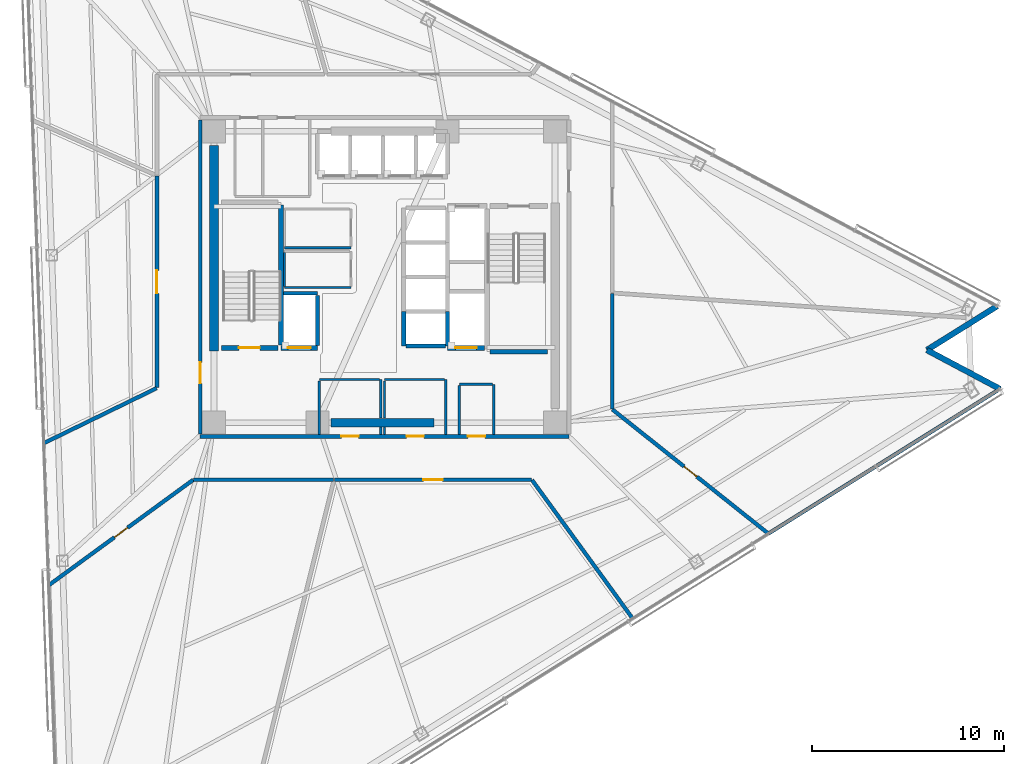
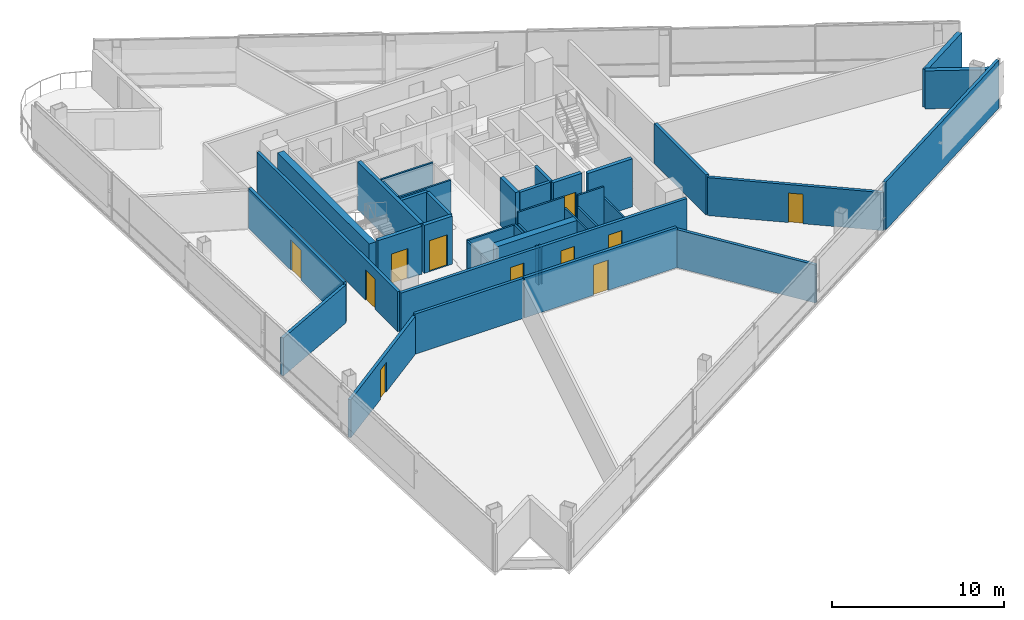
# One storey, part 12 of 21: 39 walls, 11 doors, 11 openings.
"""IFC4 building model written with IfcOpenShell, lengths in metres."""

from ifc_helpers import new_model, si_unit, direction, frame, frame_2d, origin, place, context, subcontext, project, spatial, rectangle, extrude, material, layer, layer_set, type_object, element, fill, save


model = new_model("IFC4")

# Units and contexts
model_context = context("Model", 3, precision=1e-05, world=origin(), true_north=direction((0.0, 1.0)))
body_context = subcontext(model_context, "Body", "Model", "MODEL_VIEW")
ifc_project = project(units=[si_unit("LENGTHUNIT", "METRE"), si_unit("AREAUNIT", "SQUARE_METRE"), si_unit("VOLUMEUNIT", "CUBIC_METRE"), si_unit("PLANEANGLEUNIT", "RADIAN"), si_unit("MASSUNIT", "GRAM", prefix="KILO")], contexts=[model_context])

# Site, building, storey
site_placement = place(None, origin())
site = spatial("IfcSite", under=ifc_project, at=site_placement, CompositionType="ELEMENT")
building_placement = place(site_placement, origin())
building = spatial("IfcBuilding", under=site, at=building_placement, Name="Tharavind Bronze Gate", CompositionType="ELEMENT")
storey_placement = place(building_placement, frame((0.0, 0.0, 156.800048828125)))
storey = spatial("IfcBuildingStorey", under=building, at=storey_placement, Name="L40", CompositionType="ELEMENT", Elevation=156.800048828125)

# Walls
ifc_material_1 = material(Name="Concrete C40/50", Category="concrete")
ifc_layer_1 = layer(ifc_material_1, 0.300048828125)
ifc_layer_set_1 = layer_set([ifc_layer_1], Name="Concrete C40/50")
wall_type_1 = type_object("IfcWallType", Name="EXTERIOR SPANDREL WALL 300", PredefinedType="STANDARD", material=ifc_layer_set_1)
wall_1_placement = place(storey_placement, frame((32.114501953125, -5.83984375, 0.0), z_axis=(0.0, 0.0, 1.0), x_axis=(-0.882945167019, 0.469476125099, 0.0)))
element("IfcWall", 1, at=wall_1_placement, inside=storey, type_object=wall_type_1, Name="L40 notch cheek wall 3A", PredefinedType="STANDARD", context=body_context, shape_type="SweptSolid", body=[
    extrude(rectangle(XDim=4.31982421875, YDim=0.300048828125, at=frame_2d((2.159912109375, 0.0))), origin(), (0.0, 0.0, 1.0), 2.704833984375),
])
wall_2_placement = place(storey_placement, frame((28.30029296875, -3.811767578125, 0.0), z_axis=(0.0, 0.0, 1.0), x_axis=(0.848042749904, 0.529927819929, 0.0)))
element("IfcWall", 2, at=wall_2_placement, inside=storey, type_object=wall_type_1, Name="L40 notch cheek wall 3B", PredefinedType="STANDARD", context=body_context, shape_type="SweptSolid", body=[
    extrude(rectangle(XDim=4.320068359375, YDim=0.300048828125, at=frame_2d((2.16015625, 0.0))), origin(), (0.0, 0.0, 1.0), 2.704833984375),
])

# Wall, openings, doors
ifc_material_2 = material(Name="Aerated Concrete Block", Category="concrete")
ifc_layer_2 = layer(ifc_material_2, 0.199951171875)
ifc_layer_set_2 = layer_set([ifc_layer_2], Name="Aerated Concrete Block")
wall_type_2 = type_object("IfcWallType", Name="FIRE RATED PARTITION 200", PredefinedType="PARTITIONING", material=ifc_layer_set_2)
wall_3_placement = place(storey_placement, frame((-9.6201171875, -8.320068359375, 0.0), z_axis=(0.0, 0.0, 1.0), x_axis=(1.0, 0.0, 0.0)))
wall_3 = element("IfcWall", 3, at=wall_3_placement, inside=storey, type_object=wall_type_2, Name="L40 south core corridor wall", PredefinedType="PARTITIONING", context=body_context, shape_type="SweptSolid", body=[
    extrude(rectangle(XDim=19.240234375, YDim=0.199951171875, at=frame_2d((9.6201171875, 0.0))), origin(), (0.0, 0.0, 1.0), 2.85498046875),
])
opening_1_placement = place(wall_3_placement, frame((7.3701171875, 0.0, 0.0)))
opening_1 = element("IfcOpeningElement", 4, at=opening_1_placement, cuts=wall_3, Name="Opening ID07", PredefinedType="OPENING", context=body_context, shape_type="SweptSolid", body=[
    extrude(rectangle(XDim=0.89990234375, YDim=2.10009765625, at=frame_2d((0.449951171875, 1.050048828125))), frame((0.0, 0.11009765625, 0.0), z_axis=(0.0, -1.0, 0.0), x_axis=(1.0, 0.0, 0.0)), (0.0, 0.0, 1.0), 0.219951171875),
])
opening_2_placement = place(wall_3_placement, frame((10.77001953125, 0.0, 0.0)))
opening_2 = element("IfcOpeningElement", 5, at=opening_2_placement, cuts=wall_3, Name="Opening ID07", PredefinedType="OPENING", context=body_context, shape_type="SweptSolid", body=[
    extrude(rectangle(XDim=0.89990234375, YDim=2.10009765625, at=frame_2d((0.449951171875, 1.050048828125))), frame((0.0, 0.11009765625, 0.0), z_axis=(0.0, -1.0, 0.0), x_axis=(1.0, 0.0, 0.0)), (0.0, 0.0, 1.0), 0.219951171875),
])
opening_3_placement = place(wall_3_placement, frame((13.969970703125, 0.0, 0.0)))
opening_3 = element("IfcOpeningElement", 6, at=opening_3_placement, cuts=wall_3, Name="Opening ID07", PredefinedType="OPENING", context=body_context, shape_type="SweptSolid", body=[
    extrude(rectangle(XDim=0.89990234375, YDim=2.10009765625, at=frame_2d((0.449951171875, 1.050048828125))), frame((0.0, 0.11009765625, 0.0), z_axis=(0.0, -1.0, 0.0), x_axis=(1.0, 0.0, 0.0)), (0.0, 0.0, 1.0), 0.219951171875),
])
ifc_material_3 = material(Name="Galvanised Fire Steel", Category="steel")
door_type_1 = type_object("IfcDoorType", Name="PLANT AND RISER FIRE DOOR 900X2100", OperationType="SINGLE_SWING_LEFT", PredefinedType="DOOR", material=ifc_material_3)
door_1_placement = place(opening_1_placement, frame((0.89990234375, 0.0, 0.0), z_axis=(0.0, 0.0, 1.0), x_axis=(-1.0, 0.0, 0.0)))
door_1 = element("IfcDoor", 7, at=door_1_placement, inside=storey, type_object=door_type_1, Name="L40 Core Archive Store fire door", OperationType="SINGLE_SWING_LEFT", OverallHeight=2.10009765625, OverallWidth=0.89990234375, PredefinedType="DOOR", context=body_context, shape_type="SweptSolid", body=[
    extrude(rectangle(XDim=0.89990234375, YDim=2.10009765625, at=frame_2d((0.449951171875, 1.050048828125))), frame((0.0, 0.02490234375, 0.0), z_axis=(0.0, -1.0, 0.0), x_axis=(1.0, 0.0, 0.0)), (0.0, 0.0, 1.0), 0.050048828125),
])
fill(opening_1, door_1)
door_2_placement = place(opening_2_placement, frame((0.89990234375, 0.0, 0.0), z_axis=(0.0, 0.0, 1.0), x_axis=(-1.0, 0.0, 0.0)))
door_2 = element("IfcDoor", 8, at=door_2_placement, inside=storey, type_object=door_type_1, Name="L40 Core Server Room fire door", OperationType="SINGLE_SWING_LEFT", OverallHeight=2.10009765625, OverallWidth=0.89990234375, PredefinedType="DOOR", context=body_context, shape_type="SweptSolid", body=[
    extrude(rectangle(XDim=0.89990234375, YDim=2.10009765625, at=frame_2d((0.449951171875, 1.050048828125))), frame((0.0, 0.02490234375, 0.0), z_axis=(0.0, -1.0, 0.0), x_axis=(1.0, 0.0, 0.0)), (0.0, 0.0, 1.0), 0.050048828125),
])
fill(opening_2, door_2)
door_3_placement = place(opening_3_placement, frame((0.89990234375, 0.0, 0.0), z_axis=(0.0, 0.0, 1.0), x_axis=(-1.0, 0.0, 0.0)))
door_3 = element("IfcDoor", 9, at=door_3_placement, inside=storey, type_object=door_type_1, Name="L40 Janitor Store Cupboard fire door", OperationType="SINGLE_SWING_LEFT", OverallHeight=2.10009765625, OverallWidth=0.89990234375, PredefinedType="DOOR", context=body_context, shape_type="SweptSolid", body=[
    extrude(rectangle(XDim=0.89990234375, YDim=2.10009765625, at=frame_2d((0.449951171875, 1.050048828125))), frame((0.0, 0.02490234375, 0.0), z_axis=(0.0, -1.0, 0.0), x_axis=(1.0, 0.0, 0.0)), (0.0, 0.0, 1.0), 0.050048828125),
])
fill(opening_3, door_3)

# Wall, opening, door
wall_4_placement = place(storey_placement, frame((-9.6201171875, 8.199951171875, 0.0), z_axis=(0.0, 0.0, 1.0), x_axis=(0.0, -1.0, 0.0)))
wall_4 = element("IfcWall", 10, at=wall_4_placement, inside=storey, type_object=wall_type_2, Name="L40 west core corridor wall", PredefinedType="PARTITIONING", context=body_context, shape_type="SweptSolid", body=[
    extrude(rectangle(XDim=16.39990234375, YDim=0.199951171875, at=frame_2d((8.199951171875, 0.0))), origin(), (0.0, 0.0, 1.0), 2.85498046875),
])
opening_4_placement = place(wall_4_placement, frame((12.64990234375, 0.0, 0.0)))
opening_4 = element("IfcOpeningElement", 11, at=opening_4_placement, cuts=wall_4, Name="Opening ID01", PredefinedType="OPENING", context=body_context, shape_type="SweptSolid", body=[
    extrude(rectangle(XDim=1.10009765625, YDim=2.14990234375, at=frame_2d((0.550048828125, 1.074951171875))), frame((0.0, 0.11009765625, 0.0), z_axis=(0.0, -1.0, 0.0), x_axis=(1.0, 0.0, 0.0)), (0.0, 0.0, 1.0), 0.219951171875),
])
ifc_material_4 = material(Name="Fire-Rated Steel", Category="steel")
door_type_2 = type_object("IfcDoorType", Name="STAIR CORE FIRE DOOR 1100X2150", OperationType="SINGLE_SWING_LEFT", PredefinedType="DOOR", material=ifc_material_4)
door_4_placement = place(opening_4_placement, frame((1.10009765625, 0.0, 0.0), z_axis=(0.0, 0.0, 1.0), x_axis=(-1.0, 0.0, 0.0)))
door_4 = element("IfcDoor", 12, at=door_4_placement, inside=storey, type_object=door_type_2, Name="L40 south west stair lobby fire door", OperationType="SINGLE_SWING_LEFT", OverallHeight=2.14990234375, OverallWidth=1.10009765625, PredefinedType="DOOR", context=body_context, shape_type="SweptSolid", body=[
    extrude(rectangle(XDim=1.10009765625, YDim=2.14990234375, at=frame_2d((0.550048828125, 1.074951171875))), frame((0.0, 0.02490234375, 0.0), z_axis=(0.0, -1.0, 0.0), x_axis=(1.0, 0.0, 0.0)), (0.0, 0.0, 1.0), 0.050048828125),
])
fill(opening_4, door_4)

wall_5_placement = place(storey_placement, frame((-17.51708984375, -16.080322265625, 0.0), z_axis=(0.0, 0.0, 1.0), x_axis=(0.807836100195, 0.58940718966, 0.0)))
wall_5 = element("IfcWall", 13, at=wall_5_placement, inside=storey, type_object=wall_type_2, Name="L40 Public Restrooms Block partition", PredefinedType="PARTITIONING", context=body_context, shape_type="SweptSolid", body=[
    extrude(rectangle(XDim=9.323974609375, YDim=0.199951171875, at=frame_2d((4.662109375, 0.0))), origin(), (0.0, 0.0, 1.0), 2.704833984375),
])
opening_5_placement = place(wall_5_placement, frame((4.237060546875, 0.0, 0.0)))
opening_5 = element("IfcOpeningElement", 14, at=opening_5_placement, cuts=wall_5, Name="Opening ID06", PredefinedType="OPENING", context=body_context, shape_type="SweptSolid", body=[
    extrude(rectangle(XDim=0.85009765625, YDim=2.10009765625, at=frame_2d((0.425048828125, 1.050048828125))), frame((0.0, 0.11009765625, 0.0), z_axis=(0.0, -1.0, 0.0), x_axis=(1.0, 0.0, 0.0)), (0.0, 0.0, 1.0), 0.219951171875),
])
ifc_material_5 = material(Name="Moisture-Resistant Timber", Category="wood")
door_type_3 = type_object("IfcDoorType", Name="BATHROOM PRIVACY DOOR 850X2100", OperationType="SINGLE_SWING_RIGHT", PredefinedType="DOOR", material=ifc_material_5)
door_5_placement = place(opening_5_placement, origin())
door_5 = element("IfcDoor", 15, at=door_5_placement, inside=storey, type_object=door_type_3, Name="L40 Public Restrooms Block door", OperationType="SINGLE_SWING_RIGHT", OverallHeight=2.10009765625, OverallWidth=0.85009765625, PredefinedType="DOOR", context=body_context, shape_type="SweptSolid", body=[
    extrude(rectangle(XDim=0.85009765625, YDim=2.10009765625, at=frame_2d((0.425048828125, 1.050048828125))), frame((0.0, 0.02490234375, 0.0), z_axis=(0.0, -1.0, 0.0), x_axis=(1.0, 0.0, 0.0)), (0.0, 0.0, 1.0), 0.050048828125),
])
fill(opening_5, door_5)

# Wall
wall_6_placement = place(storey_placement, frame((-9.969970703125, -10.580078125, 0.0), z_axis=(0.0, 0.0, 1.0), x_axis=(1.0, 0.0, 0.0)))
element("IfcWall", 16, at=wall_6_placement, inside=storey, type_object=wall_type_2, Name="L40 Public Restrooms Block partition", PredefinedType="PARTITIONING", context=body_context, shape_type="SweptSolid", body=[
    extrude(rectangle(XDim=7.300048828125, YDim=0.199951171875, at=frame_2d((3.64990234375, 0.0))), origin(), (0.0, 0.0, 1.0), 2.85498046875),
])

# Wall, opening, door
wall_7_placement = place(storey_placement, frame((20.030029296875, -13.39111328125, 0.0), z_axis=(0.0, 0.0, 1.0), x_axis=(-0.782379652936, 0.622801797261, 0.0)))
wall_7 = element("IfcWall", 17, at=wall_7_placement, inside=storey, type_object=wall_type_2, Name="L40 Public Restrooms Block partition", PredefinedType="PARTITIONING", context=body_context, shape_type="SweptSolid", body=[
    extrude(rectangle(XDim=10.405029296875, YDim=0.199951171875, at=frame_2d((5.20263671875, 0.0))), origin(), (0.0, 0.0, 1.0), 2.704833984375),
])
opening_6_placement = place(wall_7_placement, frame((4.777099609375, 0.0, 0.0)))
opening_6 = element("IfcOpeningElement", 18, at=opening_6_placement, cuts=wall_7, Name="Opening ID06", PredefinedType="OPENING", context=body_context, shape_type="SweptSolid", body=[
    extrude(rectangle(XDim=0.85009765625, YDim=2.10009765625, at=frame_2d((0.425048828125, 1.050048828125))), frame((0.0, 0.11009765625, 0.0), z_axis=(0.0, -1.0, 0.0), x_axis=(1.0, 0.0, 0.0)), (0.0, 0.0, 1.0), 0.219951171875),
])
door_6_placement = place(opening_6_placement, origin())
door_6 = element("IfcDoor", 19, at=door_6_placement, inside=storey, type_object=door_type_3, Name="L40 Public Restrooms Block door", OperationType="SINGLE_SWING_RIGHT", OverallHeight=2.10009765625, OverallWidth=0.85009765625, PredefinedType="DOOR", context=body_context, shape_type="SweptSolid", body=[
    extrude(rectangle(XDim=0.85009765625, YDim=2.10009765625, at=frame_2d((0.425048828125, 1.050048828125))), frame((0.0, 0.02490234375, 0.0), z_axis=(0.0, -1.0, 0.0), x_axis=(1.0, 0.0, 0.0)), (0.0, 0.0, 1.0), 0.050048828125),
])
fill(opening_6, door_6)

# Walls
wall_8_placement = place(storey_placement, frame((11.8798828125, -6.891357421875, 0.0), z_axis=(0.0, 0.0, 1.0), x_axis=(0.0, 1.0, 0.0)))
element("IfcWall", 20, at=wall_8_placement, inside=storey, type_object=wall_type_2, Name="L40 Public Restrooms Block partition", PredefinedType="PARTITIONING", context=body_context, shape_type="SweptSolid", body=[
    extrude(rectangle(XDim=6.033935546875, YDim=0.199951171875, at=frame_2d((3.01708984375, 0.0))), origin(), (0.0, 0.0, 1.0), 2.85498046875),
])
wall_9_placement = place(storey_placement, frame((31.962890625, -5.934814453125, 0.0), z_axis=(0.0, 0.0, 1.0), x_axis=(-0.848057783803, -0.529903760442, 0.0)))
element("IfcWall", 21, at=wall_9_placement, inside=storey, type_object=wall_type_2, Name="L40 Public Restrooms Block partition", PredefinedType="PARTITIONING", context=body_context, shape_type="SweptSolid", body=[
    extrude(rectangle(XDim=14.06494140625, YDim=0.199951171875, at=frame_2d((7.032470703125, 0.0))), origin(), (0.0, 0.0, 1.0), 3.409912109375),
])

# Wall, opening, door
wall_10_placement = place(storey_placement, frame((-11.8798828125, 5.273193359375, 0.0), z_axis=(0.0, 0.0, 1.0), x_axis=(0.0, -1.0, 0.0)))
wall_10 = element("IfcWall", 22, at=wall_10_placement, inside=storey, type_object=wall_type_2, Name="L40 Ethics Seminar Room partition", PredefinedType="PARTITIONING", context=body_context, shape_type="SweptSolid", body=[
    extrude(rectangle(XDim=11.0517578125, YDim=0.199951171875, at=frame_2d((5.52587890625, 0.0))), origin(), (0.0, 0.0, 1.0), 2.85498046875),
])
opening_7_placement = place(wall_10_placement, frame((4.926025390625, 0.0, 0.0)))
opening_7 = element("IfcOpeningElement", 23, at=opening_7_placement, cuts=wall_10, Name="Opening ID05", PredefinedType="OPENING", context=body_context, shape_type="SweptSolid", body=[
    extrude(rectangle(XDim=1.199951171875, YDim=2.14990234375, at=frame_2d((0.60009765625, 1.074951171875))), frame((0.0, 0.11009765625, 0.0), z_axis=(0.0, -1.0, 0.0), x_axis=(1.0, 0.0, 0.0)), (0.0, 0.0, 1.0), 0.219951171875),
])
ifc_material_6 = material(Name="Acoustic Laminated Glass", Category="glass")
door_type_4 = type_object("IfcDoorType", Name="MEETING ROOM GLAZED DOOR 1200X2150", OperationType="SINGLE_SWING_LEFT", PredefinedType="DOOR", material=ifc_material_6)
door_7_placement = place(opening_7_placement, origin())
door_7 = element("IfcDoor", 24, at=door_7_placement, inside=storey, type_object=door_type_4, Name="L40 Ethics Seminar Room door", OperationType="SINGLE_SWING_LEFT", OverallHeight=2.14990234375, OverallWidth=1.199951171875, PredefinedType="DOOR", context=body_context, shape_type="SweptSolid", body=[
    extrude(rectangle(XDim=1.199951171875, YDim=2.14990234375, at=frame_2d((0.60009765625, 1.074951171875))), frame((0.0, 0.02490234375, 0.0), z_axis=(0.0, -1.0, 0.0), x_axis=(1.0, 0.0, 0.0)), (0.0, 0.0, 1.0), 0.050048828125),
])
fill(opening_7, door_7)

# Wall
wall_11_placement = place(storey_placement, frame((-11.89404296875, -5.801025390625, 0.0), z_axis=(0.0, 0.0, 1.0), x_axis=(-0.89877884349, -0.438402315796, 0.0)))
element("IfcWall", 25, at=wall_11_placement, inside=storey, type_object=wall_type_2, Name="L40 Ethics Seminar Room partition", PredefinedType="PARTITIONING", context=body_context, shape_type="SweptSolid", body=[
    extrude(rectangle(XDim=6.5439453125, YDim=0.199951171875, at=frame_2d((3.27197265625, 0.0))), origin(), (0.0, 0.0, 1.0), 2.704833984375),
])

# Wall, opening, door
wall_12_placement = place(storey_placement, frame((-2.618408203125, -10.580078125, 0.0), z_axis=(0.0, 0.0, 1.0), x_axis=(1.0, 0.0, 0.0)))
wall_12 = element("IfcWall", 26, at=wall_12_placement, inside=storey, type_object=wall_type_2, Name="L40 Clinical Data Office partition", PredefinedType="PARTITIONING", context=body_context, shape_type="SweptSolid", body=[
    extrude(rectangle(XDim=10.29248046875, YDim=0.199951171875, at=frame_2d((5.146240234375, 0.0))), origin(), (0.0, 0.0, 1.0), 2.85498046875),
])
opening_8_placement = place(wall_12_placement, frame((4.64599609375, 0.0, 0.0)))
opening_8 = element("IfcOpeningElement", 27, at=opening_8_placement, cuts=wall_12, Name="Opening ID04", PredefinedType="OPENING", context=body_context, shape_type="SweptSolid", body=[
    extrude(rectangle(XDim=1.0, YDim=2.14990234375, at=frame_2d((0.5, 1.074951171875))), frame((0.0, 0.11009765625, 0.0), z_axis=(0.0, -1.0, 0.0), x_axis=(1.0, 0.0, 0.0)), (0.0, 0.0, 1.0), 0.219951171875),
])
ifc_material_7 = material(Name="Bronze Framed Acoustic Timber", Category="wood")
door_type_5 = type_object("IfcDoorType", Name="OFFICE TENANCY DOOR 1000X2150", OperationType="SINGLE_SWING_RIGHT", PredefinedType="DOOR", material=ifc_material_7)
door_8_placement = place(opening_8_placement, origin())
door_8 = element("IfcDoor", 28, at=door_8_placement, inside=storey, type_object=door_type_5, Name="L40 Clinical Data Office door", OperationType="SINGLE_SWING_RIGHT", OverallHeight=2.14990234375, OverallWidth=1.0, PredefinedType="DOOR", context=body_context, shape_type="SweptSolid", body=[
    extrude(rectangle(XDim=1.0, YDim=2.14990234375, at=frame_2d((0.5, 1.074951171875))), frame((0.0, 0.02490234375, 0.0), z_axis=(0.0, -1.0, 0.0), x_axis=(1.0, 0.0, 0.0)), (0.0, 0.0, 1.0), 0.050048828125),
])
fill(opening_8, door_8)

# Walls
wall_13_placement = place(storey_placement, frame((7.6943359375, -10.59033203125, 0.0), z_axis=(0.0, 0.0, 1.0), x_axis=(0.587773963439, -0.809025196086, 0.0)))
element("IfcWall", 29, at=wall_13_placement, inside=storey, type_object=wall_type_2, Name="L40 Clinical Data Office partition", PredefinedType="PARTITIONING", context=body_context, shape_type="SweptSolid", body=[
    extrude(rectangle(XDim=8.906982421875, YDim=0.199951171875, at=frame_2d((4.45361328125, 0.0))), origin(), (0.0, 0.0, 1.0), 2.704833984375),
])
ifc_material_8 = material(Name="Metal Stud Gypsum Partition", Category="gypsum")
ifc_layer_3 = layer(ifc_material_8, 0.1201171875)
ifc_layer_set_3 = layer_set([ifc_layer_3], Name="Metal Stud Gypsum Partition")
wall_type_3 = type_object("IfcWallType", Name="INTERIOR PARTITION WALL 120", PredefinedType="PARTITIONING", material=ifc_layer_set_3)
for number, where, z_axis, x_axis, name in (
    (30, (-5.219970703125, 1.52001953125, 0.0), (0.0, 0.0, 1.0), (1.0, 0.0, 0.0), "L40 Cleaner Store Room partition 1"),
    (31, (-5.219970703125, -0.550048828125, 0.0), (0.0, 0.0, 1.0), (1.0, 0.0, 0.0), "L40 Electrical Switch Room partition 1"),
):
    element("IfcWall", number, at=place(storey_placement, frame(where, z_axis=z_axis, x_axis=x_axis)), inside=storey, type_object=wall_type_3, Name=name, PredefinedType="PARTITIONING", context=body_context, shape_type="SweptSolid", body=[
        extrude(rectangle(XDim=3.469970703125, YDim=0.1201171875, at=frame_2d((1.73486328125, 0.0))), origin(), (0.0, 0.0, 1.0), 3.409912109375),
    ])
wall_14_placement = place(storey_placement, frame((-5.219970703125, 1.27490234375, 0.0), z_axis=(0.0, 0.0, 1.0), x_axis=(0.0, -1.0, 0.0)))
element("IfcWall", 32, at=wall_14_placement, inside=storey, type_object=wall_type_3, Name="L40 Electrical Switch Room partition 4", PredefinedType="PARTITIONING", context=body_context, shape_type="SweptSolid", body=[
    extrude(rectangle(XDim=1.760009765625, YDim=0.1201171875, at=frame_2d((0.8798828125, 0.0))), origin(), (0.0, 0.0, 1.0), 3.409912109375),
])
wall_15_placement = place(storey_placement, frame((-0.199951171875, -8.215087890625, 0.0), z_axis=(0.0, 0.0, 1.0), x_axis=(0.0, 1.0, 0.0)))
element("IfcWall", 33, at=wall_15_placement, inside=storey, type_object=wall_type_3, Name="L40 Core Archive Store partition 2", PredefinedType="PARTITIONING", context=body_context, shape_type="SweptSolid", body=[
    extrude(rectangle(XDim=0.385009765625, YDim=0.1201171875, at=frame_2d((0.1923828125, 0.0))), origin(), (0.0, 0.0, 1.0), 2.60498046875),
])
wall_16_placement = place(storey_placement, frame((-0.199951171875, -7.3701171875, 0.0), z_axis=(0.0, 0.0, 1.0), x_axis=(0.0, 1.0, 0.0)))
element("IfcWall", 34, at=wall_16_placement, inside=storey, type_object=wall_type_3, Name="L40 Core Archive Store partition 2", PredefinedType="PARTITIONING", context=body_context, shape_type="SweptSolid", body=[
    extrude(rectangle(XDim=2.02001953125, YDim=0.1201171875, at=frame_2d((1.010009765625, 0.0))), origin(), (0.0, 0.0, 1.0), 2.60498046875),
])
wall_17_placement = place(storey_placement, frame((-0.264892578125, -5.35009765625, 0.0), z_axis=(0.0, 0.0, 1.0), x_axis=(-1.0, 0.0, 0.0)))
element("IfcWall", 35, at=wall_17_placement, inside=storey, type_object=wall_type_3, Name="L40 Core Archive Store partition 3", PredefinedType="PARTITIONING", context=body_context, shape_type="SweptSolid", body=[
    extrude(rectangle(XDim=3.135009765625, YDim=0.1201171875, at=frame_2d((1.5673828125, 0.0))), origin(), (0.0, 0.0, 1.0), 2.60498046875),
])
wall_18_placement = place(storey_placement, frame((-3.39990234375, -5.4150390625, 0.0), z_axis=(0.0, 0.0, 1.0), x_axis=(0.0, -1.0, 0.0)))
element("IfcWall", 36, at=wall_18_placement, inside=storey, type_object=wall_type_3, Name="L40 Core Archive Store partition 4", PredefinedType="PARTITIONING", context=body_context, shape_type="SweptSolid", body=[
    extrude(rectangle(XDim=2.800048828125, YDim=0.1201171875, at=frame_2d((1.39990234375, 0.0))), origin(), (0.0, 0.0, 1.0), 2.60498046875),
])
wall_19_placement = place(storey_placement, frame((3.199951171875, -8.215087890625, 0.0), z_axis=(0.0, 0.0, 1.0), x_axis=(0.0, 1.0, 0.0)))
element("IfcWall", 37, at=wall_19_placement, inside=storey, type_object=wall_type_3, Name="L40 Core Server Room partition 2", PredefinedType="PARTITIONING", context=body_context, shape_type="SweptSolid", body=[
    extrude(rectangle(XDim=2.864990234375, YDim=0.1201171875, at=frame_2d((1.4326171875, 0.0))), origin(), (0.0, 0.0, 1.0), 2.60498046875),
])
wall_20_placement = place(storey_placement, frame((3.135009765625, -5.35009765625, 0.0), z_axis=(0.0, 0.0, 1.0), x_axis=(-1.0, 0.0, 0.0)))
element("IfcWall", 38, at=wall_20_placement, inside=storey, type_object=wall_type_3, Name="L40 Core Server Room partition 3", PredefinedType="PARTITIONING", context=body_context, shape_type="SweptSolid", body=[
    extrude(rectangle(XDim=3.135009765625, YDim=0.1201171875, at=frame_2d((1.5673828125, 0.0))), origin(), (0.0, 0.0, 1.0), 3.409912109375),
])
wall_21_placement = place(storey_placement, frame((0.0, -5.4150390625, 0.0), z_axis=(0.0, 0.0, 1.0), x_axis=(0.0, -1.0, 0.0)))
element("IfcWall", 39, at=wall_21_placement, inside=storey, type_object=wall_type_3, Name="L40 Core Server Room partition 4", PredefinedType="PARTITIONING", context=body_context, shape_type="SweptSolid", body=[
    extrude(rectangle(XDim=1.955078125, YDim=0.1201171875, at=frame_2d((0.9775390625, 0.0))), origin(), (0.0, 0.0, 1.0), 2.60498046875),
])
wall_22_placement = place(storey_placement, frame((0.0, -7.830078125, 0.0), z_axis=(0.0, 0.0, 1.0), x_axis=(0.0, -1.0, 0.0)))
element("IfcWall", 40, at=wall_22_placement, inside=storey, type_object=wall_type_3, Name="L40 Core Server Room partition 4", PredefinedType="PARTITIONING", context=body_context, shape_type="SweptSolid", body=[
    extrude(rectangle(XDim=0.385009765625, YDim=0.1201171875, at=frame_2d((0.1923828125, 0.0))), origin(), (0.0, 0.0, 1.0), 2.60498046875),
])
wall_23_placement = place(storey_placement, frame((5.699951171875, -8.215087890625, 0.0), z_axis=(0.0, 0.0, 1.0), x_axis=(0.0, 1.0, 0.0)))
element("IfcWall", 41, at=wall_23_placement, inside=storey, type_object=wall_type_3, Name="L40 Janitor Store Cupboard partition 2", PredefinedType="PARTITIONING", context=body_context, shape_type="SweptSolid", body=[
    extrude(rectangle(XDim=2.614990234375, YDim=0.1201171875, at=frame_2d((1.3076171875, 0.0))), origin(), (0.0, 0.0, 1.0), 2.60498046875),
])
wall_24_placement = place(storey_placement, frame((5.635009765625, -5.60009765625, 0.0), z_axis=(0.0, 0.0, 1.0), x_axis=(-1.0, 0.0, 0.0)))
element("IfcWall", 42, at=wall_24_placement, inside=storey, type_object=wall_type_3, Name="L40 Janitor Store Cupboard partition 3", PredefinedType="PARTITIONING", context=body_context, shape_type="SweptSolid", body=[
    extrude(rectangle(XDim=1.735107421875, YDim=0.1201171875, at=frame_2d((0.86767578125, 0.0))), origin(), (0.0, 0.0, 1.0), 3.409912109375),
])
wall_25_placement = place(storey_placement, frame((3.89990234375, -5.6650390625, 0.0), z_axis=(0.0, 0.0, 1.0), x_axis=(0.0, -1.0, 0.0)))
element("IfcWall", 43, at=wall_25_placement, inside=storey, type_object=wall_type_3, Name="L40 Janitor Store Cupboard partition 4", PredefinedType="PARTITIONING", context=body_context, shape_type="SweptSolid", body=[
    extrude(rectangle(XDim=2.550048828125, YDim=0.1201171875, at=frame_2d((1.27490234375, 0.0))), origin(), (0.0, 0.0, 1.0), 2.60498046875),
])
ifc_material_9 = material(Name="Concrete C50/60", Category="concrete")
ifc_layer_4 = layer(ifc_material_9, 0.25)
ifc_layer_set_4 = layer_set([ifc_layer_4], Name="Concrete C50/60")
wall_type_4 = type_object("IfcWallType", Name="RC CORE SHEAR WALL 250", PredefinedType="SHEAR", material=ifc_layer_set_4)
wall_26_placement = place(storey_placement, frame((-5.39990234375, -3.550048828125, 0.0), z_axis=(0.0, 0.0, 1.0), x_axis=(0.0, 1.0, 0.0)))
element("IfcWall", 44, at=wall_26_placement, inside=storey, type_object=wall_type_4, Name="L40 ST1 shaft east wall", PredefinedType="SHEAR", context=body_context, shape_type="SweptSolid", body=[
    extrude(rectangle(XDim=7.300048828125, YDim=0.25, at=frame_2d((3.64990234375, 0.0))), origin(), (0.0, 0.0, 1.0), 3.409912109375),
])

# Wall, opening, door
wall_27_placement = place(storey_placement, frame((-8.5, -3.699951171875, 0.0), z_axis=(0.0, 0.0, 1.0), x_axis=(1.0, 0.0, 0.0)))
wall_27 = element("IfcWall", 45, at=wall_27_placement, inside=storey, type_object=wall_type_4, Name="L40 ST1 shaft south wall", PredefinedType="SHEAR", context=body_context, shape_type="SweptSolid", body=[
    extrude(rectangle(XDim=2.949951171875, YDim=0.25, at=frame_2d((1.47509765625, 0.0))), origin(), (0.0, 0.0, 1.0), 3.409912109375),
])
opening_9_placement = place(wall_27_placement, frame((0.89990234375, 0.0, 0.0)))
opening_9 = element("IfcOpeningElement", 46, at=opening_9_placement, cuts=wall_27, Name="Opening ID01", PredefinedType="OPENING", context=body_context, shape_type="SweptSolid", body=[
    extrude(rectangle(XDim=1.10009765625, YDim=2.14990234375, at=frame_2d((0.550048828125, 1.074951171875))), frame((0.0, 0.135, 0.0), z_axis=(0.0, -1.0, 0.0), x_axis=(1.0, 0.0, 0.0)), (0.0, 0.0, 1.0), 0.27),
])
door_9_placement = place(opening_9_placement, origin())
door_9 = element("IfcDoor", 47, at=door_9_placement, inside=storey, type_object=door_type_2, Name="L40 exit stair ST1 fire door", OperationType="SINGLE_SWING_LEFT", OverallHeight=2.14990234375, OverallWidth=1.10009765625, PredefinedType="DOOR", context=body_context, shape_type="SweptSolid", body=[
    extrude(rectangle(XDim=1.10009765625, YDim=2.14990234375, at=frame_2d((0.550048828125, 1.074951171875))), frame((0.0, 0.02490234375, 0.0), z_axis=(0.0, -1.0, 0.0), x_axis=(1.0, 0.0, 0.0)), (0.0, 0.0, 1.0), 0.050048828125),
])
fill(opening_9, door_9)

# Walls
wall_28_placement = place(storey_placement, frame((5.5, -3.89990234375, 0.0), z_axis=(0.0, 0.0, 1.0), x_axis=(1.0, 0.0, 0.0)))
element("IfcWall", 48, at=wall_28_placement, inside=storey, type_object=wall_type_4, Name="L40 ST2 shaft south wall", PredefinedType="SHEAR", context=body_context, shape_type="SweptSolid", body=[
    extrude(rectangle(XDim=3.0, YDim=0.25, at=frame_2d((1.5, 0.0))), origin(), (0.0, 0.0, 1.0), 3.409912109375),
])
wall_29_placement = place(storey_placement, frame((1.0, -3.60009765625, 0.0), z_axis=(0.0, 0.0, 1.0), x_axis=(0.0, 1.0, 0.0)))
element("IfcWall", 49, at=wall_29_placement, inside=storey, type_object=wall_type_4, Name="L40 lift PL9 shaft front wall", PredefinedType="SHEAR", context=body_context, shape_type="SweptSolid", body=[
    extrude(rectangle(XDim=1.800048828125, YDim=0.25, at=frame_2d((0.89990234375, 0.0))), origin(), (0.0, 0.0, 1.0), 3.409912109375),
])

# Wall, opening, door
wall_30_placement = place(storey_placement, frame((-5.39990234375, -3.699951171875, 0.0), z_axis=(0.0, 0.0, 1.0), x_axis=(1.0, 0.0, 0.0)))
wall_30 = element("IfcWall", 50, at=wall_30_placement, inside=storey, type_object=wall_type_4, Name="L40 lift FFL1 shaft front wall", PredefinedType="SHEAR", context=body_context, shape_type="SweptSolid", body=[
    extrude(rectangle(XDim=1.89990234375, YDim=0.25, at=frame_2d((0.949951171875, 0.0))), origin(), (0.0, 0.0, 1.0), 3.409912109375),
])
opening_10_placement = place(wall_30_placement, frame((0.35009765625, 0.0, 0.0)))
opening_10 = element("IfcOpeningElement", 51, at=opening_10_placement, cuts=wall_30, Name="Opening LD02", PredefinedType="OPENING", context=body_context, shape_type="SweptSolid", body=[
    extrude(rectangle(XDim=1.199951171875, YDim=2.199951171875, at=frame_2d((0.60009765625, 1.10009765625))), frame((0.0, 0.135, 0.0), z_axis=(0.0, -1.0, 0.0), x_axis=(1.0, 0.0, 0.0)), (0.0, 0.0, 1.0), 0.27),
])
ifc_material_10 = material(Name="Brushed Stainless Steel", Category="steel")
door_type_6 = type_object("IfcDoorType", Name="FIREFIGHTING LIFT LANDING DOOR 1200X2200", OperationType="SLIDING_TO_RIGHT", PredefinedType="DOOR", material=ifc_material_10)
door_10_placement = place(opening_10_placement, origin())
door_10 = element("IfcDoor", 52, at=door_10_placement, inside=storey, type_object=door_type_6, Name="L40 lift FFL1 sliding landing door", OperationType="SLIDING_TO_RIGHT", OverallHeight=2.199951171875, OverallWidth=1.199951171875, PredefinedType="DOOR", context=body_context, shape_type="SweptSolid", body=[
    extrude(rectangle(XDim=1.199951171875, YDim=2.199951171875, at=frame_2d((0.60009765625, 1.10009765625))), frame((0.0, 0.02490234375, 0.0), z_axis=(0.0, -1.0, 0.0), x_axis=(1.0, 0.0, 0.0)), (0.0, 0.0, 1.0), 0.050048828125),
])
fill(opening_10, door_10)

wall_31_placement = place(storey_placement, frame((3.280029296875, -3.699951171875, 0.0), z_axis=(0.0, 0.0, 1.0), x_axis=(1.0, 0.0, 0.0)))
wall_31 = element("IfcWall", 53, at=wall_31_placement, inside=storey, type_object=wall_type_4, Name="L40 lift SVL1 shaft front wall", PredefinedType="SHEAR", context=body_context, shape_type="SweptSolid", body=[
    extrude(rectangle(XDim=1.93994140625, YDim=0.25, at=frame_2d((0.969970703125, 0.0))), origin(), (0.0, 0.0, 1.0), 3.409912109375),
])
opening_11_placement = place(wall_31_placement, frame((0.419921875, 0.0, 0.0)))
opening_11 = element("IfcOpeningElement", 54, at=opening_11_placement, cuts=wall_31, Name="Opening LD01", PredefinedType="OPENING", context=body_context, shape_type="SweptSolid", body=[
    extrude(rectangle(XDim=1.10009765625, YDim=2.199951171875, at=frame_2d((0.550048828125, 1.10009765625))), frame((0.0, 0.135, 0.0), z_axis=(0.0, -1.0, 0.0), x_axis=(1.0, 0.0, 0.0)), (0.0, 0.0, 1.0), 0.27),
])
ifc_material_11 = material(Name="Brushed Bronze Stainless Steel", Category="steel")
door_type_7 = type_object("IfcDoorType", Name="LIFT LANDING SLIDING DOOR 1100X2200", OperationType="SLIDING_TO_LEFT", PredefinedType="DOOR", material=ifc_material_11)
door_11_placement = place(opening_11_placement, origin())
door_11 = element("IfcDoor", 55, at=door_11_placement, inside=storey, type_object=door_type_7, Name="L40 lift SVL1 sliding landing door", OperationType="SLIDING_TO_LEFT", OverallHeight=2.199951171875, OverallWidth=1.10009765625, PredefinedType="DOOR", context=body_context, shape_type="SweptSolid", body=[
    extrude(rectangle(XDim=1.10009765625, YDim=2.199951171875, at=frame_2d((0.550048828125, 1.10009765625))), frame((0.0, 0.02490234375, 0.0), z_axis=(0.0, -1.0, 0.0), x_axis=(1.0, 0.0, 0.0)), (0.0, 0.0, 1.0), 0.050048828125),
])
fill(opening_11, door_11)

# Walls
ifc_material_12 = material(Name="Concrete C60/75", Category="concrete")
ifc_layer_5 = layer(ifc_material_12, 0.449951171875)
ifc_layer_set_5 = layer_set([ifc_layer_5], Name="Concrete C60/75")
wall_type_5 = type_object("IfcWallType", Name="RC CORE SHEAR WALL 450", PredefinedType="SHEAR", material=ifc_layer_set_5)
wall_32_placement = place(storey_placement, frame((-2.800048828125, -7.60009765625, 0.0), z_axis=(0.0, 0.0, 1.0), x_axis=(1.0, 0.0, 0.0)))
element("IfcWall", 56, at=wall_32_placement, inside=storey, type_object=wall_type_5, Name="L40 south core shear wall", PredefinedType="SHEAR", context=body_context, shape_type="SweptSolid", body=[
    extrude(rectangle(XDim=5.380126953125, YDim=0.449951171875, at=frame_2d((2.68994140625, 0.0))), origin(), (0.0, 0.0, 1.0), 3.409912109375),
])
wall_33_placement = place(storey_placement, frame((-8.89990234375, -3.85009765625, 0.0), z_axis=(0.0, 0.0, 1.0), x_axis=(0.0, 1.0, 0.0)))
element("IfcWall", 57, at=wall_33_placement, inside=storey, type_object=wall_type_5, Name="L40 west core shear wall", PredefinedType="SHEAR", context=body_context, shape_type="SweptSolid", body=[
    extrude(rectangle(XDim=10.7001953125, YDim=0.449951171875, at=frame_2d((5.35009765625, 0.0))), origin(), (0.0, 0.0, 1.0), 3.409912109375),
])
ifc_layer_6 = layer(ifc_material_1, 0.199951171875)
ifc_layer_set_6 = layer_set([ifc_layer_6], Name="Concrete C40/50")
wall_type_6 = type_object("IfcWallType", Name="SHAFT ENCLOSURE WALL 200", PredefinedType="PARTITIONING", material=ifc_layer_set_6)
wall_34_placement = place(storey_placement, frame((3.280029296875, -3.60009765625, 0.0), z_axis=(0.0, 0.0, 1.0), x_axis=(0.0, 1.0, 0.0)))
element("IfcWall", 58, at=wall_34_placement, inside=storey, type_object=wall_type_6, Name="L40 lift PL9 shaft E enclosure wall", PredefinedType="PARTITIONING", context=body_context, shape_type="SweptSolid", body=[
    extrude(rectangle(XDim=1.800048828125, YDim=0.199951171875, at=frame_2d((0.89990234375, 0.0))), origin(), (0.0, 0.0, 1.0), 3.409912109375),
])
wall_35_placement = place(storey_placement, frame((1.1298828125, -3.60009765625, 0.0), z_axis=(0.0, 0.0, 1.0), x_axis=(1.0, 0.0, 0.0)))
element("IfcWall", 59, at=wall_35_placement, inside=storey, type_object=wall_type_6, Name="L40 lift PL9 shaft S enclosure wall", PredefinedType="PARTITIONING", context=body_context, shape_type="SweptSolid", body=[
    extrude(rectangle(XDim=2.045166015625, YDim=0.199951171875, at=frame_2d((1.0224609375, 0.0))), origin(), (0.0, 0.0, 1.0), 3.409912109375),
])
wall_36_placement = place(storey_placement, frame((-5.27001953125, -0.85009765625, 0.0), z_axis=(0.0, 0.0, 1.0), x_axis=(1.0, 0.0, 0.0)))
element("IfcWall", 60, at=wall_36_placement, inside=storey, type_object=wall_type_6, Name="L40 lift FFL1 shaft N enclosure wall", PredefinedType="PARTITIONING", context=body_context, shape_type="SweptSolid", body=[
    extrude(rectangle(XDim=1.77001953125, YDim=0.199951171875, at=frame_2d((0.885009765625, 0.0))), origin(), (0.0, 0.0, 1.0), 3.409912109375),
])
wall_37_placement = place(storey_placement, frame((-3.5, -3.570068359375, 0.0), z_axis=(0.0, 0.0, 1.0), x_axis=(0.0, 1.0, 0.0)))
element("IfcWall", 61, at=wall_37_placement, inside=storey, type_object=wall_type_6, Name="L40 lift FFL1 shaft E enclosure wall", PredefinedType="PARTITIONING", context=body_context, shape_type="SweptSolid", body=[
    extrude(rectangle(XDim=2.614990234375, YDim=0.199951171875, at=frame_2d((1.3076171875, 0.0))), origin(), (0.0, 0.0, 1.0), 3.409912109375),
])

save(model, "model.ifc")
